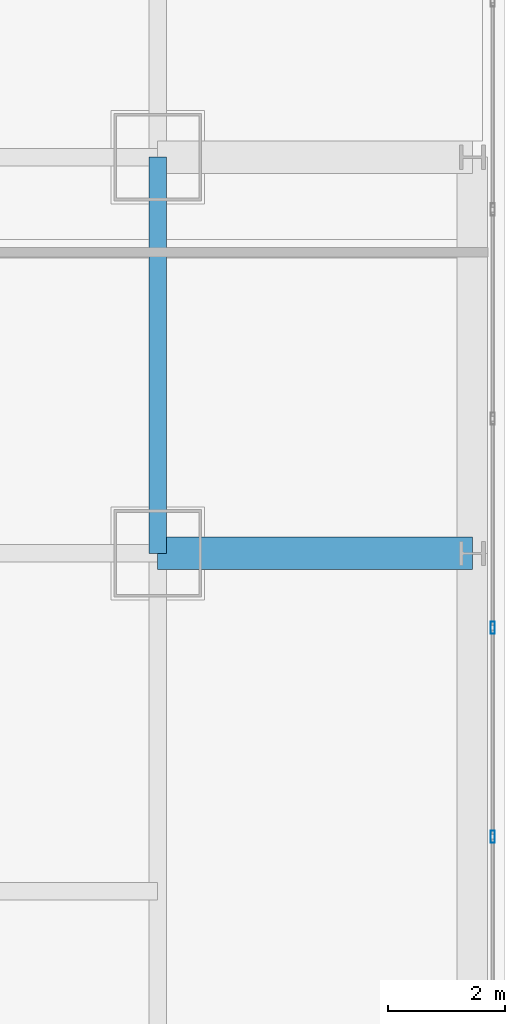
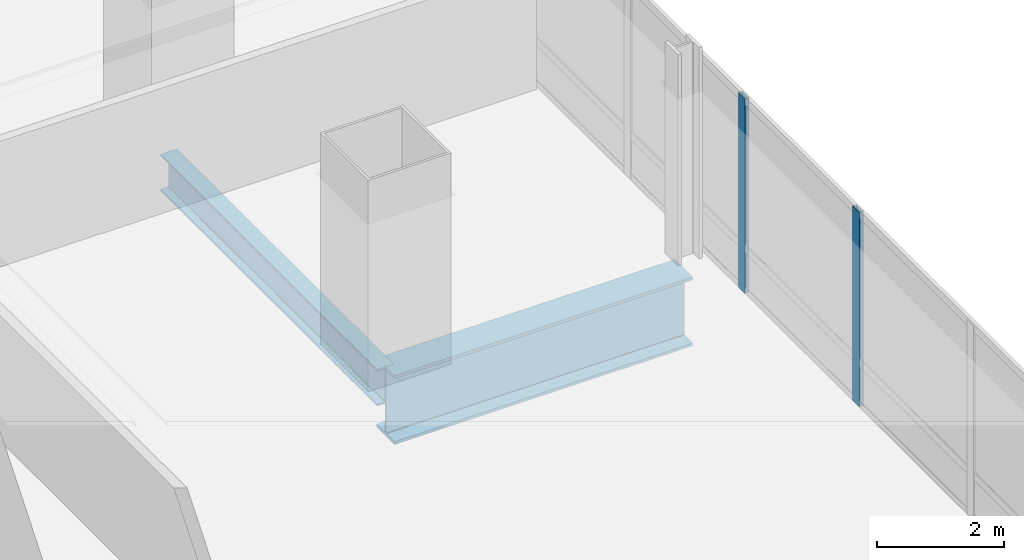
# One storey, part 15 of 33: 2 beams, 2 members, 1 element without a shape of its own.
"""IFC4 building model written with IfcOpenShell, lengths in metres."""

from ifc_helpers import new_model, si_unit, direction, frame, origin, origin_2d, place, context, subcontext, project, spatial, hollow_rectangle, i_section, extrude, material, material_profile, profile_set, type_object, element, aggregate, save


model = new_model("IFC4")

# Units and contexts
model_context = context("Model", 3, precision=1e-05, world=origin(), true_north=direction((0.0, 1.0)))
body_context = subcontext(model_context, "Body", "Model", "MODEL_VIEW")
ifc_project = project(units=[si_unit("LENGTHUNIT", "METRE"), si_unit("AREAUNIT", "SQUARE_METRE"), si_unit("VOLUMEUNIT", "CUBIC_METRE"), si_unit("PLANEANGLEUNIT", "RADIAN"), si_unit("MASSUNIT", "GRAM", prefix="KILO")], contexts=[model_context])

# Site, building, storey
site_placement = place(None, origin())
site = spatial("IfcSite", under=ifc_project, at=site_placement, CompositionType="ELEMENT")
building_placement = place(site_placement, origin())
building = spatial("IfcBuilding", under=site, at=building_placement, Name="Punatoya Terracotta Tower", CompositionType="ELEMENT")
storey_placement = place(building_placement, frame((0.0, 0.0, 121.35009765625)))
storey = spatial("IfcBuildingStorey", under=building, at=storey_placement, Name="L28", CompositionType="ELEMENT", Elevation=121.35009765625)

# Beams
ifc_material_1 = material(Name="Steel S355", Category="steel")
ifc_material_profile_1 = material_profile(ifc_material_1, i_section(OverallWidth=0.300048828125, OverallDepth=0.699951171875, WebThickness=0.01708984375, FlangeThickness=0.031982421875, FilletRadius=0.01806640625, at=origin_2d()))
ifc_profile_set_1 = profile_set([ifc_material_profile_1], Name="Steel S355")
beam_type_1 = type_object("IfcBeamType", Name="BM-PRI-700", PredefinedType="BEAM", material=ifc_profile_set_1)
beam_1_placement = place(storey_placement, frame((19.10009765625, -3.39990234375, -0.590087890625), z_axis=(0.0, 1.0, 0.0), x_axis=(-1.0, 0.0, 0.0)))
element("IfcBeam", 1, at=beam_1_placement, inside=storey, type_object=beam_type_1, Name="BM-L28-RG-E2", PredefinedType="BEAM", context=body_context, shape_type="SweptSolid", body=[
    extrude(i_section(OverallWidth=0.300048828125, OverallDepth=0.699951171875, WebThickness=0.01708984375, FlangeThickness=0.031982421875, FilletRadius=0.01806640625, at=origin_2d()), origin(), (0.0, 0.0, 1.0), 6.7998046875),
])
ifc_material_2 = material(Name="Steel S460", Category="steel")
ifc_material_profile_2 = material_profile(ifc_material_2, i_section(OverallWidth=0.56005859375, OverallDepth=1.320068359375, WebThickness=0.035888671875, FlangeThickness=0.054931640625, FilletRadius=0.01806640625, at=origin_2d()))
ifc_profile_set_2 = profile_set([ifc_material_profile_2], Name="Steel S460")
beam_type_2 = type_object("IfcBeamType", Name="BM-TG-BLK", PredefinedType="BEAM", material=ifc_profile_set_2)
beam_2_placement = place(storey_placement, frame((19.10009765625, -3.39990234375, -0.900146484375), z_axis=(1.0, 0.0, 0.0), x_axis=(0.0, 1.0, 0.0)))
element("IfcBeam", 2, at=beam_2_placement, inside=storey, type_object=beam_type_2, Name="BM-L28-CANT-E2", PredefinedType="BEAM", context=body_context, shape_type="SweptSolid", body=[
    extrude(i_section(OverallWidth=0.56005859375, OverallDepth=1.320068359375, WebThickness=0.035888671875, FlangeThickness=0.054931640625, FilletRadius=0.01806640625, at=origin_2d()), origin(), (0.0, 0.0, 1.0), 5.39990234375),
])

# Curtain wall, members
ifc_material_3 = material(Name="Aluminium 6063-T6 + Double Low-E Glass", Category="aluminium")
curtain_wall_type = type_object("IfcCurtainWallType", Name="CW-M1", PredefinedType="NOTDEFINED", material=ifc_material_3)
curtain_wall_placement = place(storey_placement, origin())
curtain_wall = element("IfcCurtainWall", 3, at=curtain_wall_placement, inside=storey, type_object=curtain_wall_type, Name="L28 Curtain Wall CW-L28-E05-1", PredefinedType="NOTDEFINED")
ifc_material_4 = material(Name="Aluminium 6063-T6", Category="aluminium")
ifc_material_profile_3 = material_profile(ifc_material_4, hollow_rectangle(XDim=0.074951171875, YDim=0.2099609375, WallThickness=0.00439453125, at=origin_2d()))
ifc_profile_set_3 = profile_set([ifc_material_profile_3], Name="Aluminium 6063-T6")
member_type = type_object("IfcMemberType", Name="CW-MUL-M1", PredefinedType="MULLION", material=ifc_profile_set_3)
member_1_placement = place(storey_placement, frame((24.85009765625, -8.261962890625, 0.0), z_axis=(0.0, 0.0, 1.0), x_axis=(1.0, 0.0, 0.0)))
member_1 = element("IfcMember", 4, at=member_1_placement, type_object=member_type, Name="CW-L28-E05-1 Mullion 02", PredefinedType="MULLION", context=body_context, shape_type="SweptSolid", body=[
    extrude(hollow_rectangle(XDim=0.074951171875, YDim=0.2099609375, WallThickness=0.00439453125, at=origin_2d()), origin(), (0.0, 0.0, 1.0), 3.72998046875),
])
member_2_placement = place(storey_placement, frame((24.85009765625, -4.674560546875, 0.0), z_axis=(0.0, 0.0, 1.0), x_axis=(1.0, 0.0, 0.0)))
member_2 = element("IfcMember", 5, at=member_2_placement, type_object=member_type, Name="CW-L28-E05-1 Mullion 03", PredefinedType="MULLION", context=body_context, shape_type="SweptSolid", body=[
    extrude(hollow_rectangle(XDim=0.074951171875, YDim=0.2099609375, WallThickness=0.00439453125, at=origin_2d()), origin(), (0.0, 0.0, 1.0), 3.72998046875),
])
aggregate(curtain_wall, [member_1, member_2])

save(model, "model.ifc")
